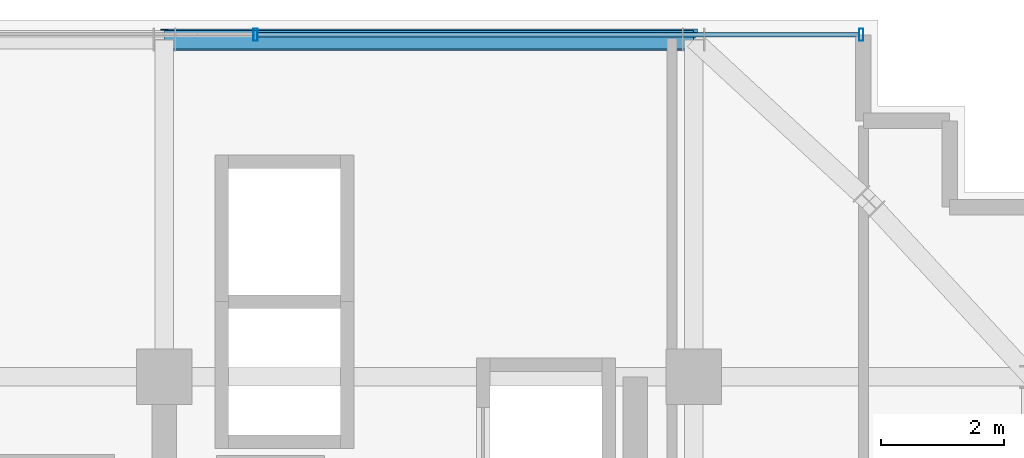
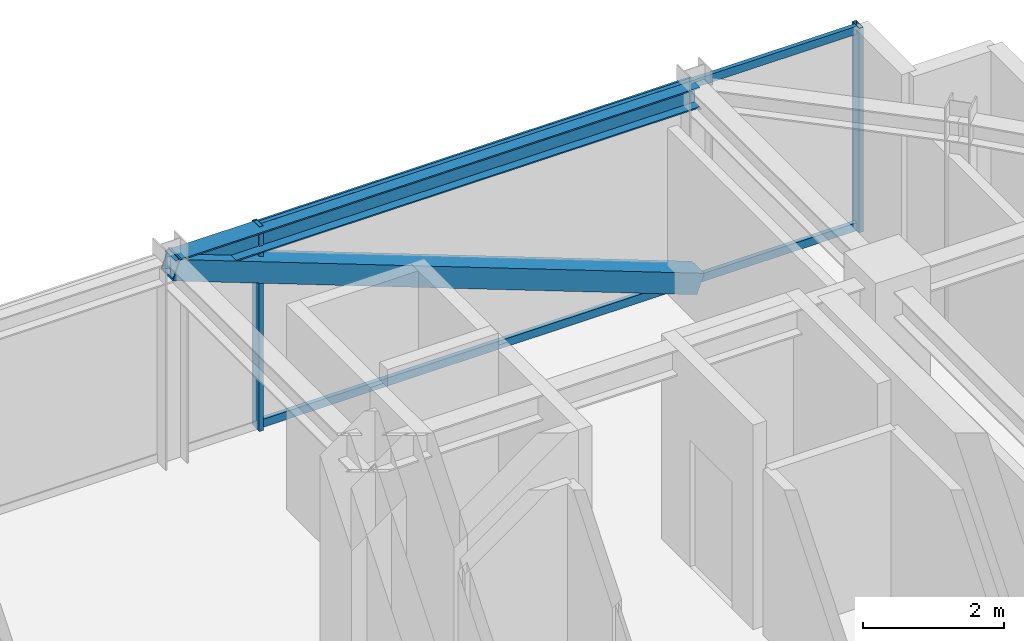
# One storey, part 28 of 37: 5 members, 1 beam, 1 element without a shape of its own.
"""IFC4 building model written with IfcOpenShell, lengths in metres."""

from ifc_helpers import new_model, si_unit, direction, frame, origin, origin_2d, place, context, subcontext, project, spatial, hollow_rectangle, i_section, extrude, source, transform, mapped, material, material_profile, profile_set, type_object, element, aggregate, save


model = new_model("IFC4")

# Units and contexts
model_context = context("Model", 3, precision=1e-05, world=origin(), true_north=direction((0.0, 1.0)))
body_context = subcontext(model_context, "Body", "Model", "MODEL_VIEW")
ifc_project = project(units=[si_unit("LENGTHUNIT", "METRE"), si_unit("AREAUNIT", "SQUARE_METRE"), si_unit("VOLUMEUNIT", "CUBIC_METRE"), si_unit("PLANEANGLEUNIT", "RADIAN"), si_unit("MASSUNIT", "GRAM", prefix="KILO")], contexts=[model_context])

# Site, building, storey
site_placement = place(None, origin())
site = spatial("IfcSite", under=ifc_project, at=site_placement, CompositionType="ELEMENT")
building_placement = place(site_placement, origin())
building = spatial("IfcBuilding", under=site, at=building_placement, Name="Nahalor Promenade Grand Hotel", CompositionType="ELEMENT")
storey_placement = place(building_placement, frame((0.0, 0.0, 308.050048828125)))
storey = spatial("IfcBuildingStorey", under=building, at=storey_placement, Name="L79", CompositionType="ELEMENT", Elevation=308.050048828125)

# Beam
ifc_material_1 = material(Name="Steel S355JR", Category="steel")
ifc_material_profile_1 = material_profile(ifc_material_1, i_section(OverallWidth=0.3, OverallDepth=0.36, WebThickness=0.0125, FlangeThickness=0.0225, at=origin_2d()), Name="HEB 360")
ifc_profile_set_1 = profile_set([ifc_material_profile_1], Name="Steel S355JR")
beam_type = type_object("IfcBeamType", Name="Beam-Spandrel-HEB360", PredefinedType="SPANDREL", material=ifc_profile_set_1)
shared_shape_1 = source(origin(), body_context, "Body", "SweptSolid", [
    extrude(i_section(OverallWidth=0.3, OverallDepth=0.36, WebThickness=0.0125, FlangeThickness=0.0225, at=origin_2d()), origin(), (0.0, 0.0, 1.0), 8.60009765625),
])
beam_placement = place(storey_placement, frame((8.39990234375, 22.47998046875, 3.369873046875), z_axis=(1.0, 0.0, 0.0), x_axis=(0.0, 1.0, 0.0)))
element("IfcBeam", 1, at=beam_placement, inside=storey, type_object=beam_type, Name="BM-L79-SP-N-4", PredefinedType="SPANDREL", context=body_context, shape_type="MappedRepresentation", body=[
    mapped(shared_shape_1, transform((0.0, 0.0, 0.0), scale=1.0)),
])

# Member
ifc_material_profile_2 = material_profile(ifc_material_1, hollow_rectangle(XDim=0.35, YDim=0.35, WallThickness=0.02, at=origin_2d()), Name="SHS 350x350x20")
ifc_profile_set_2 = profile_set([ifc_material_profile_2], Name="Steel S355JR")
member_type_1 = type_object("IfcMemberType", Name="Mem-VoidBrace-SHS350", PredefinedType="BRACE", material=ifc_profile_set_2)
shared_shape_2 = source(origin(), body_context, "Body", "SweptSolid", [
    extrude(hollow_rectangle(XDim=0.35, YDim=0.35, WallThickness=0.02, at=origin_2d()), origin(), (0.0, 0.0, 1.0), 9.193603515625),
])
member_1_placement = place(storey_placement, frame((17.0, 22.47998046875, 0.14990234375), z_axis=(-0.935433460247, 0.0, 0.353502816749), x_axis=(0.0, -1.0, 0.0)))
element("IfcMember", 2, at=member_1_placement, inside=storey, type_object=member_type_1, Name="EXO-L79-N-1", PredefinedType="BRACE", context=body_context, shape_type="MappedRepresentation", body=[
    mapped(shared_shape_2, transform((0.0, 0.0, 0.0), scale=1.0)),
])

# Curtain wall, members
ifc_material_2 = material(Name="Anodised Bronze Aluminium EN AW-6063 T6", Category="aluminium")
curtain_wall_type = type_object("IfcCurtainWallType", Name="CW3 Elliptical-Void Collar Unitised Curtain Wall", PredefinedType="USERDEFINED", material=ifc_material_2)
curtain_wall_placement = place(storey_placement, origin())
curtain_wall = element("IfcCurtainWall", 3, at=curtain_wall_placement, inside=storey, type_object=curtain_wall_type, Name="L79 Curtain Wall CW-L79-N-1", ObjectType="UNITISED_CURTAIN_WALL", PredefinedType="USERDEFINED")
ifc_material_profile_3 = material_profile(ifc_material_2, hollow_rectangle(XDim=0.07, YDim=0.14, WallThickness=0.004, at=origin_2d()), Name="CWT 70x140x4")
ifc_profile_set_3 = profile_set([ifc_material_profile_3], Name="Anodised Bronze Aluminium EN AW-6063 T6")
member_type_2 = type_object("IfcMemberType", Name="CWT3 Void Collar Transom 70x140", PredefinedType="USERDEFINED", material=ifc_profile_set_3)
shared_shape_3 = source(origin(), body_context, "Body", "SweptSolid", [
    extrude(hollow_rectangle(XDim=0.07, YDim=0.14, WallThickness=0.004, at=origin_2d()), origin(), (0.0, 0.0, 1.0), 9.77490234375),
])
member_2_placement = place(storey_placement, frame((9.9150390625, 22.56005859375, 0.070068359375), z_axis=(1.0, 0.0, 0.0), x_axis=(0.0, 1.0, 0.0)))
member_2 = element("IfcMember", 4, at=member_2_placement, type_object=member_type_2, Name="CW-L79-N-1 Transom 3-0", ObjectType="TRANSOM", PredefinedType="USERDEFINED", context=body_context, shape_type="MappedRepresentation", body=[
    mapped(shared_shape_3, transform((0.0, 0.0, 0.0), scale=1.0)),
])
member_3_placement = place(storey_placement, frame((9.9150390625, 22.56005859375, 3.47998046875), z_axis=(1.0, 0.0, 0.0), x_axis=(0.0, 1.0, 0.0)))
member_3 = element("IfcMember", 5, at=member_3_placement, type_object=member_type_2, Name="CW-L79-N-1 Transom 3-1", ObjectType="TRANSOM", PredefinedType="USERDEFINED", context=body_context, shape_type="MappedRepresentation", body=[
    mapped(shared_shape_3, transform((0.0, 0.0, 0.0), scale=1.0)),
])
ifc_material_profile_4 = material_profile(ifc_material_2, hollow_rectangle(XDim=0.07, YDim=0.2, WallThickness=0.005, at=origin_2d()), Name="CWM 70x200x5")
ifc_profile_set_4 = profile_set([ifc_material_profile_4], Name="Anodised Bronze Aluminium EN AW-6063 T6")
member_type_3 = type_object("IfcMemberType", Name="CWM3 Void Collar Mullion 70x200", PredefinedType="MULLION", material=ifc_profile_set_4)
shared_shape_4 = source(origin(), body_context, "Body", "SweptSolid", [
    extrude(hollow_rectangle(XDim=0.07, YDim=0.2, WallThickness=0.005, at=origin_2d()), origin(), (0.0, 0.0, 1.0), 3.550048828125),
])
member_4_placement = place(storey_placement, frame((9.8798828125, 22.56005859375, 0.0), z_axis=(0.0, 0.0, 1.0), x_axis=(1.0, 0.0, 0.0)))
member_4 = element("IfcMember", 6, at=member_4_placement, type_object=member_type_3, Name="CW-L79-N-1 Mullion 3", PredefinedType="MULLION", context=body_context, shape_type="MappedRepresentation", body=[
    mapped(shared_shape_4, transform((0.0, 0.0, 0.0), scale=1.0)),
])
member_5_placement = place(storey_placement, frame((19.72509765625, 22.56005859375, 0.0), z_axis=(0.0, 0.0, 1.0), x_axis=(1.0, 0.0, 0.0)))
member_5 = element("IfcMember", 7, at=member_5_placement, type_object=member_type_3, Name="CW-L79-N-1 Mullion 4", PredefinedType="MULLION", context=body_context, shape_type="MappedRepresentation", body=[
    mapped(shared_shape_4, transform((0.0, 0.0, 0.0), scale=1.0)),
])
aggregate(curtain_wall, [member_4, member_5, member_2, member_3])

save(model, "model.ifc")
